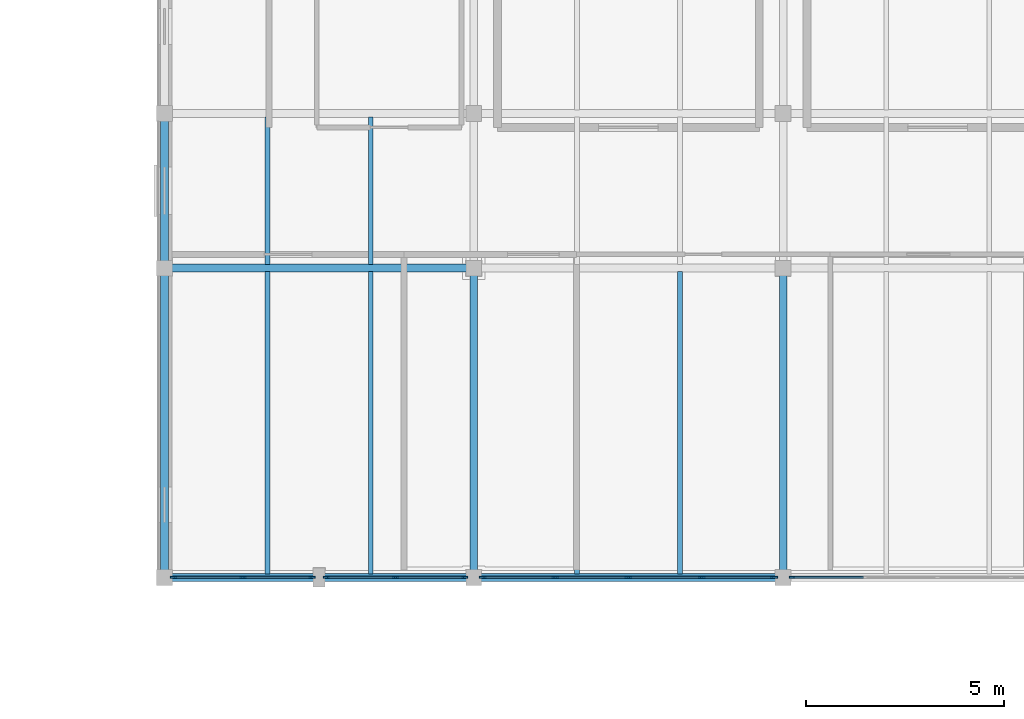
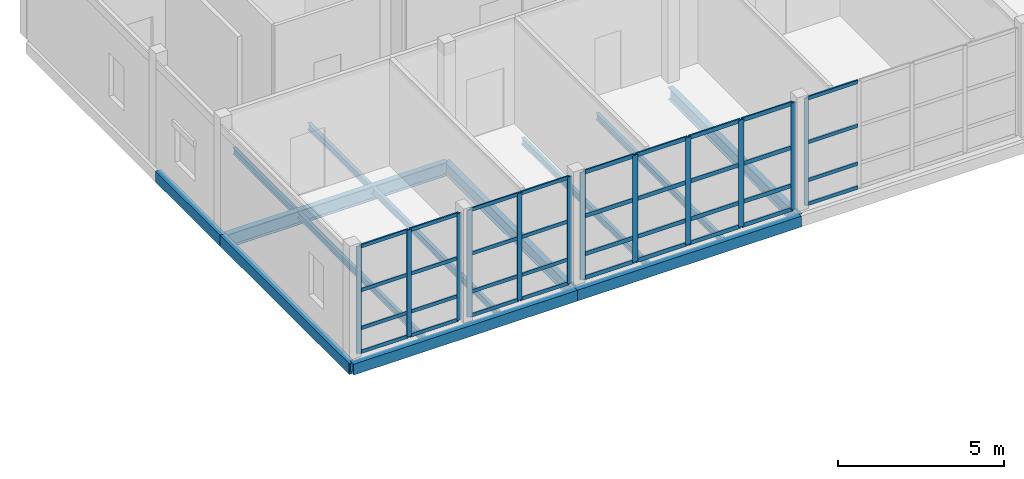
# One storey, part 5 of 21: 48 members, 13 beams, 4 elements without a shape of their own.
"""IFC4 building model written with IfcOpenShell, lengths in metres."""

from ifc_helpers import new_model, si_unit, direction, frame, origin, origin_2d, place, context, subcontext, project, spatial, rectangle, hollow_rectangle, i_section, extrude, material, layer, layer_set, material_profile, profile_set, type_object, element, aggregate, save


model = new_model("IFC4")

# Units and contexts
model_context = context("Model", 3, precision=1e-05, world=origin(), true_north=direction((0.0, 1.0)))
body_context = subcontext(model_context, "Body", "Model", "MODEL_VIEW")
ifc_project = project(units=[si_unit("LENGTHUNIT", "METRE"), si_unit("AREAUNIT", "SQUARE_METRE"), si_unit("VOLUMEUNIT", "CUBIC_METRE"), si_unit("PLANEANGLEUNIT", "RADIAN"), si_unit("MASSUNIT", "GRAM", prefix="KILO")], contexts=[model_context])

# Site, building, storey
site_placement = place(None, origin())
site = spatial("IfcSite", under=ifc_project, at=site_placement, CompositionType="ELEMENT")
building_placement = place(site_placement, origin())
building = spatial("IfcBuilding", under=site, at=building_placement, Name="Celorna Specialist Clinic", CompositionType="ELEMENT")
storey_placement = place(building_placement, frame((0.0, 0.0, 23.10009765625)))
storey = spatial("IfcBuildingStorey", under=building, at=storey_placement, Name="L05", CompositionType="ELEMENT", Elevation=23.10009765625)

# Beams
ifc_material_1 = material(Name="Steel S355", Category="steel")
ifc_material_profile_1 = material_profile(ifc_material_1, i_section(OverallWidth=0.199951171875, OverallDepth=0.5, WebThickness=0.01025390625, FlangeThickness=0.01611328125, at=origin_2d()), Name="IPE 500")
ifc_profile_set_1 = profile_set([ifc_material_profile_1], Name="Steel S355")
beam_type_1 = type_object("IfcBeamType", Name="BM-08", PredefinedType="BEAM", material=ifc_profile_set_1)
beam_1_placement = place(storey_placement, frame((46.800048828125, 104.300048828125, -0.530029296875), z_axis=(1.0, 0.0, 0.0), x_axis=(0.0, 1.0, 0.0)))
element("IfcBeam", 1, at=beam_1_placement, inside=storey, type_object=beam_type_1, Name="Primary girder BM-08 #1422", PredefinedType="BEAM", context=body_context, shape_type="SweptSolid", body=[
    extrude(i_section(OverallWidth=0.199951171875, OverallDepth=0.5, WebThickness=0.01025390625, FlangeThickness=0.01611328125, at=origin_2d()), origin(), (0.0, 0.0, 1.0), 7.800048828125),
])
ifc_material_profile_2 = material_profile(ifc_material_1, i_section(OverallWidth=0.18994140625, OverallDepth=0.449951171875, WebThickness=0.009521484375, FlangeThickness=0.0146484375, at=origin_2d()), Name="IPE 450")
ifc_profile_set_2 = profile_set([ifc_material_profile_2], Name="Steel S355")
beam_type_2 = type_object("IfcBeamType", Name="BM-09", PredefinedType="BEAM", material=ifc_profile_set_2)
for number, where, z_axis, x_axis, name in (
    (2, (54.60009765625, 96.5, -0.505126953125), (0.0, 1.0, 0.0), (-1.0, 0.0, 0.0), "Transverse girder BM-09 #1443"),
    (3, (62.39990234375, 96.5, -0.505126953125), (0.0, 1.0, 0.0), (-1.0, 0.0, 0.0), "Transverse girder BM-09 #1446"),
):
    element("IfcBeam", number, at=place(storey_placement, frame(where, z_axis=z_axis, x_axis=x_axis)), inside=storey, type_object=beam_type_2, Name=name, PredefinedType="BEAM", context=body_context, shape_type="SweptSolid", body=[
        extrude(i_section(OverallWidth=0.18994140625, OverallDepth=0.449951171875, WebThickness=0.009521484375, FlangeThickness=0.0146484375, at=origin_2d()), origin(), (0.0, 0.0, 1.0), 7.800048828125),
    ])
ifc_material_profile_3 = material_profile(ifc_material_1, hollow_rectangle(XDim=0.199951171875, YDim=0.39990234375, WallThickness=0.011962890625, at=origin_2d()), Name="RHS 200x400x12")
ifc_profile_set_3 = profile_set([ifc_material_profile_3], Name="Steel S355")
beam_type_3 = type_object("IfcBeamType", Name="BM-15", PredefinedType="SPANDREL", material=ifc_profile_set_3)
beam_2_placement = place(storey_placement, frame((46.800048828125, 96.5, -0.47998046875), z_axis=(1.0, 0.0, 0.0), x_axis=(0.0, 1.0, 0.0)))
element("IfcBeam", 4, at=beam_2_placement, inside=storey, type_object=beam_type_3, Name="Spandrel beam BM-15 #1416", PredefinedType="SPANDREL", context=body_context, shape_type="SweptSolid", body=[
    extrude(hollow_rectangle(XDim=0.199951171875, YDim=0.39990234375, WallThickness=0.011962890625, at=origin_2d()), origin(), (0.0, 0.0, 1.0), 7.800048828125),
])
beam_3_placement = place(storey_placement, frame((54.60009765625, 96.5, -0.47998046875), z_axis=(1.0, 0.0, 0.0), x_axis=(0.0, 1.0, 0.0)))
element("IfcBeam", 5, at=beam_3_placement, inside=storey, type_object=beam_type_3, Name="Spandrel beam BM-15 #1417", PredefinedType="SPANDREL", context=body_context, shape_type="SweptSolid", body=[
    extrude(hollow_rectangle(XDim=0.199951171875, YDim=0.39990234375, WallThickness=0.011962890625, at=origin_2d()), origin(), (0.0, 0.0, 1.0), 7.7998046875),
])
beam_4_placement = place(storey_placement, frame((46.800048828125, 96.5, -0.47998046875), z_axis=(0.0, 1.0, 0.0), x_axis=(-1.0, 0.0, 0.0)))
element("IfcBeam", 6, at=beam_4_placement, inside=storey, type_object=beam_type_3, Name="Spandrel beam BM-15 #1440", PredefinedType="SPANDREL", context=body_context, shape_type="SweptSolid", body=[
    extrude(hollow_rectangle(XDim=0.199951171875, YDim=0.39990234375, WallThickness=0.011962890625, at=origin_2d()), origin(), (0.0, 0.0, 1.0), 7.800048828125),
])
beam_5_placement = place(storey_placement, frame((46.800048828125, 104.300048828125, -0.47998046875), z_axis=(0.0, 1.0, 0.0), x_axis=(-1.0, 0.0, 0.0)))
element("IfcBeam", 7, at=beam_5_placement, inside=storey, type_object=beam_type_3, Name="Spandrel beam BM-15 #1441", PredefinedType="SPANDREL", context=body_context, shape_type="SweptSolid", body=[
    extrude(hollow_rectangle(XDim=0.199951171875, YDim=0.39990234375, WallThickness=0.011962890625, at=origin_2d()), origin(), (0.0, 0.0, 1.0), 3.89990234375),
])
ifc_material_profile_4 = material_profile(ifc_material_1, i_section(OverallWidth=0.1201171875, OverallDepth=0.239990234375, WebThickness=0.006103515625, FlangeThickness=0.009765625, at=origin_2d()), Name="IPE 240")
ifc_profile_set_4 = profile_set([ifc_material_profile_4], Name="Steel S355")
beam_type_4 = type_object("IfcBeamType", Name="BM-23", PredefinedType="JOIST", material=ifc_profile_set_4)
for number, where, z_axis, x_axis, name in (
    (8, (49.39990234375, 96.587890625, -0.400146484375), (0.0, 1.0, 0.0), (-1.0, 0.0, 0.0), "Secondary floor joist BM-23 #1461"),
    (9, (52.0, 96.587890625, -0.400146484375), (0.0, 1.0, 0.0), (-1.0, 0.0, 0.0), "Secondary floor joist BM-23 #1462"),
):
    element("IfcBeam", number, at=place(storey_placement, frame(where, z_axis=z_axis, x_axis=x_axis)), inside=storey, type_object=beam_type_4, Name=name, PredefinedType="JOIST", context=body_context, shape_type="SweptSolid", body=[
        extrude(i_section(OverallWidth=0.1201171875, OverallDepth=0.239990234375, WebThickness=0.006103515625, FlangeThickness=0.009765625, at=origin_2d()), origin(), (0.0, 0.0, 1.0), 7.6240234375),
    ])
for number, where, z_axis, x_axis, name in (
    (10, (49.39990234375, 104.387939453125, -0.400146484375), (0.0, 1.0, 0.0), (-1.0, 0.0, 0.0), "Secondary floor joist BM-23 #1463"),
    (11, (52.0, 104.387939453125, -0.400146484375), (0.0, 1.0, 0.0), (-1.0, 0.0, 0.0), "Secondary floor joist BM-23 #1464"),
):
    element("IfcBeam", number, at=place(storey_placement, frame(where, z_axis=z_axis, x_axis=x_axis)), inside=storey, type_object=beam_type_4, Name=name, PredefinedType="JOIST", context=body_context, shape_type="SweptSolid", body=[
        extrude(i_section(OverallWidth=0.1201171875, OverallDepth=0.239990234375, WebThickness=0.006103515625, FlangeThickness=0.009765625, at=origin_2d()), origin(), (0.0, 0.0, 1.0), 3.72412109375),
    ])
for number, where, z_axis, x_axis, name in (
    (12, (57.199951171875, 96.587890625, -0.400146484375), (0.0, 1.0, 0.0), (-1.0, 0.0, 0.0), "Secondary floor joist BM-23 #1465"),
    (13, (59.800048828125, 96.587890625, -0.400146484375), (0.0, 1.0, 0.0), (-1.0, 0.0, 0.0), "Secondary floor joist BM-23 #1466"),
):
    element("IfcBeam", number, at=place(storey_placement, frame(where, z_axis=z_axis, x_axis=x_axis)), inside=storey, type_object=beam_type_4, Name=name, PredefinedType="JOIST", context=body_context, shape_type="SweptSolid", body=[
        extrude(i_section(OverallWidth=0.1201171875, OverallDepth=0.239990234375, WebThickness=0.006103515625, FlangeThickness=0.009765625, at=origin_2d()), origin(), (0.0, 0.0, 1.0), 7.6240234375),
    ])

# Curtain wall, members
ifc_material_2 = material(Name="Thermally broken aluminium and solar-control glass curtain wall", Category="aluminium")
ifc_layer_1 = layer(ifc_material_2, 0.159912109375, Name="Thermally broken aluminium and solar-control glass curtain wall")
ifc_layer_set_1 = layer_set([ifc_layer_1], Name="Thermally broken aluminium and solar-control glass curtain wall")
curtain_wall_type_1 = type_object("IfcCurtainWallType", Name="CW-77", PredefinedType="NOTDEFINED", material=ifc_layer_set_1)
curtain_wall_1_placement = place(storey_placement, origin())
curtain_wall_1 = element("IfcCurtainWall", 14, at=curtain_wall_1_placement, inside=storey, type_object=curtain_wall_type_1, Name="Curtain wall CW-77 #145", PredefinedType="NOTDEFINED")
ifc_material_3 = material(Name="Anodized aluminium mullion", Category="aluminium")
ifc_material_profile_5 = material_profile(ifc_material_3, rectangle(XDim=0.050048828125, YDim=0.159912109375, at=origin_2d()), Name="ALU MULLION 50x160")
ifc_profile_set_5 = profile_set([ifc_material_profile_5], Name="Anodized aluminium mullion")
member_type_1 = type_object("IfcMemberType", Name="ML-01", PredefinedType="MULLION", material=ifc_profile_set_5)
member_1_placement = place(storey_placement, frame((54.37109375, 96.5, 0.0), z_axis=(0.0, 0.0, 1.0), x_axis=(0.0, -1.0, 0.0)))
member_1 = element("IfcMember", 15, at=member_1_placement, type_object=member_type_1, Name="CW-77 mullion 1", PredefinedType="MULLION", context=body_context, shape_type="SweptSolid", body=[
    extrude(rectangle(XDim=0.050048828125, YDim=0.159912109375, at=origin_2d()), origin(), (0.0, 0.0, 1.0), 3.93994140625),
])
member_2_placement = place(storey_placement, frame((52.625, 96.5, 0.0), z_axis=(0.0, 0.0, 1.0), x_axis=(0.0, -1.0, 0.0)))
member_2 = element("IfcMember", 16, at=member_2_placement, type_object=member_type_1, Name="CW-77 mullion 2", PredefinedType="MULLION", context=body_context, shape_type="SweptSolid", body=[
    extrude(rectangle(XDim=0.050048828125, YDim=0.159912109375, at=origin_2d()), origin(), (0.0, 0.0, 1.0), 3.93994140625),
])
member_3_placement = place(storey_placement, frame((50.87890625, 96.5, 0.0), z_axis=(0.0, 0.0, 1.0), x_axis=(0.0, -1.0, 0.0)))
member_3 = element("IfcMember", 17, at=member_3_placement, type_object=member_type_1, Name="CW-77 mullion 3", PredefinedType="MULLION", context=body_context, shape_type="SweptSolid", body=[
    extrude(rectangle(XDim=0.050048828125, YDim=0.159912109375, at=origin_2d()), origin(), (0.0, 0.0, 1.0), 3.93994140625),
])

curtain_wall_2_placement = place(storey_placement, origin())
curtain_wall_2 = element("IfcCurtainWall", 18, at=curtain_wall_2_placement, inside=storey, type_object=curtain_wall_type_1, Name="Curtain wall CW-77 #146", PredefinedType="NOTDEFINED")
member_4_placement = place(storey_placement, frame((50.52099609375, 96.5, 0.0), z_axis=(0.0, 0.0, 1.0), x_axis=(0.0, -1.0, 0.0)))
member_4 = element("IfcMember", 19, at=member_4_placement, type_object=member_type_1, Name="CW-77 mullion 1", PredefinedType="MULLION", context=body_context, shape_type="SweptSolid", body=[
    extrude(rectangle(XDim=0.050048828125, YDim=0.159912109375, at=origin_2d()), origin(), (0.0, 0.0, 1.0), 3.93994140625),
])
member_5_placement = place(storey_placement, frame((48.77490234375, 96.5, 0.0), z_axis=(0.0, 0.0, 1.0), x_axis=(0.0, -1.0, 0.0)))
member_5 = element("IfcMember", 20, at=member_5_placement, type_object=member_type_1, Name="CW-77 mullion 2", PredefinedType="MULLION", context=body_context, shape_type="SweptSolid", body=[
    extrude(rectangle(XDim=0.050048828125, YDim=0.159912109375, at=origin_2d()), origin(), (0.0, 0.0, 1.0), 3.93994140625),
])
member_6_placement = place(storey_placement, frame((47.029052734375, 96.5, 0.0), z_axis=(0.0, 0.0, 1.0), x_axis=(0.0, -1.0, 0.0)))
member_6 = element("IfcMember", 21, at=member_6_placement, type_object=member_type_1, Name="CW-77 mullion 3", PredefinedType="MULLION", context=body_context, shape_type="SweptSolid", body=[
    extrude(rectangle(XDim=0.050048828125, YDim=0.159912109375, at=origin_2d()), origin(), (0.0, 0.0, 1.0), 3.93994140625),
])

ifc_layer_2 = layer(ifc_material_2, 0.159912109375, Name="Thermally broken aluminium and solar-control glass curtain wall")
ifc_layer_set_2 = layer_set([ifc_layer_2], Name="Thermally broken aluminium and solar-control glass curtain wall")
curtain_wall_type_2 = type_object("IfcCurtainWallType", Name="CW-78", PredefinedType="NOTDEFINED", material=ifc_layer_set_2)
curtain_wall_3_placement = place(storey_placement, origin())
curtain_wall_3 = element("IfcCurtainWall", 22, at=curtain_wall_3_placement, inside=storey, type_object=curtain_wall_type_2, Name="Curtain wall CW-78 #147", PredefinedType="NOTDEFINED")
ifc_material_profile_6 = material_profile(ifc_material_3, rectangle(XDim=0.050048828125, YDim=0.179931640625, at=origin_2d()), Name="ALU MULLION 50x180")
ifc_profile_set_6 = profile_set([ifc_material_profile_6], Name="Anodized aluminium mullion")
member_type_2 = type_object("IfcMemberType", Name="ML-02", PredefinedType="MULLION", material=ifc_profile_set_6)
member_7_placement = place(storey_placement, frame((62.1708984375, 96.5, 0.0), z_axis=(0.0, 0.0, 1.0), x_axis=(0.0, -1.0, 0.0)))
member_7 = element("IfcMember", 23, at=member_7_placement, type_object=member_type_2, Name="CW-78 mullion 1", PredefinedType="MULLION", context=body_context, shape_type="SweptSolid", body=[
    extrude(rectangle(XDim=0.050048828125, YDim=0.179931640625, at=origin_2d()), origin(), (0.0, 0.0, 1.0), 3.93994140625),
])
member_8_placement = place(storey_placement, frame((60.347900390625, 96.5, 0.0), z_axis=(0.0, 0.0, 1.0), x_axis=(0.0, -1.0, 0.0)))
member_8 = element("IfcMember", 24, at=member_8_placement, type_object=member_type_2, Name="CW-78 mullion 2", PredefinedType="MULLION", context=body_context, shape_type="SweptSolid", body=[
    extrude(rectangle(XDim=0.050048828125, YDim=0.179931640625, at=origin_2d()), origin(), (0.0, 0.0, 1.0), 3.93994140625),
])
member_9_placement = place(storey_placement, frame((58.5, 96.5, 0.0), z_axis=(0.0, 0.0, 1.0), x_axis=(0.0, -1.0, 0.0)))
member_9 = element("IfcMember", 25, at=member_9_placement, type_object=member_type_2, Name="CW-78 mullion 3", PredefinedType="MULLION", context=body_context, shape_type="SweptSolid", body=[
    extrude(rectangle(XDim=0.050048828125, YDim=0.179931640625, at=origin_2d()), origin(), (0.0, 0.0, 1.0), 3.93994140625),
])
member_10_placement = place(storey_placement, frame((56.652099609375, 96.5, 0.0), z_axis=(0.0, 0.0, 1.0), x_axis=(0.0, -1.0, 0.0)))
member_10 = element("IfcMember", 26, at=member_10_placement, type_object=member_type_2, Name="CW-78 mullion 4", PredefinedType="MULLION", context=body_context, shape_type="SweptSolid", body=[
    extrude(rectangle(XDim=0.050048828125, YDim=0.179931640625, at=origin_2d()), origin(), (0.0, 0.0, 1.0), 3.93994140625),
])
member_11_placement = place(storey_placement, frame((54.8291015625, 96.5, 0.0), z_axis=(0.0, 0.0, 1.0), x_axis=(0.0, -1.0, 0.0)))
member_11 = element("IfcMember", 27, at=member_11_placement, type_object=member_type_2, Name="CW-78 mullion 5", PredefinedType="MULLION", context=body_context, shape_type="SweptSolid", body=[
    extrude(rectangle(XDim=0.050048828125, YDim=0.179931640625, at=origin_2d()), origin(), (0.0, 0.0, 1.0), 3.93994140625),
])

# Curtain wall, member
ifc_layer_3 = layer(ifc_material_2, 0.159912109375, Name="Thermally broken aluminium and solar-control glass curtain wall")
ifc_layer_set_3 = layer_set([ifc_layer_3], Name="Thermally broken aluminium and solar-control glass curtain wall")
curtain_wall_type_3 = type_object("IfcCurtainWallType", Name="CW-79", PredefinedType="NOTDEFINED", material=ifc_layer_set_3)
curtain_wall_4_placement = place(storey_placement, origin())
curtain_wall_4 = element("IfcCurtainWall", 28, at=curtain_wall_4_placement, inside=storey, type_object=curtain_wall_type_3, Name="Curtain wall CW-79 #148", PredefinedType="NOTDEFINED")
ifc_material_profile_7 = material_profile(ifc_material_3, rectangle(XDim=0.050048828125, YDim=0.139892578125, at=origin_2d()), Name="ALU MULLION 50x140")
ifc_profile_set_7 = profile_set([ifc_material_profile_7], Name="Anodized aluminium mullion")
member_type_3 = type_object("IfcMemberType", Name="ML-03", PredefinedType="MULLION", material=ifc_profile_set_7)
member_12_placement = place(storey_placement, frame((62.62890625, 96.5, 0.0), z_axis=(0.0, 0.0, 1.0), x_axis=(0.0, -1.0, 0.0)))
member_12 = element("IfcMember", 29, at=member_12_placement, type_object=member_type_3, Name="CW-79 mullion 5", PredefinedType="MULLION", context=body_context, shape_type="SweptSolid", body=[
    extrude(rectangle(XDim=0.050048828125, YDim=0.139892578125, at=origin_2d()), origin(), (0.0, 0.0, 1.0), 3.93994140625),
])

# Member
ifc_material_4 = material(Name="Anodized aluminium transom", Category="aluminium")
ifc_material_profile_8 = material_profile(ifc_material_4, rectangle(XDim=0.050048828125, YDim=0.1298828125, at=origin_2d()), Name="ALU TRANSOM 50x130")
ifc_profile_set_8 = profile_set([ifc_material_profile_8], Name="Anodized aluminium transom")
member_type_4 = type_object("IfcMemberType", Name="TR-01", PredefinedType="USERDEFINED", material=ifc_profile_set_8)
member_13_placement = place(storey_placement, frame((54.345947265625, 96.5, 0.02490234375), z_axis=(-1.0, 0.0, 0.0), x_axis=(0.0, -1.0, 0.0)))
member_13 = element("IfcMember", 30, at=member_13_placement, type_object=member_type_4, Name="CW-77 transom 1.1", ObjectType="TRANSOM", PredefinedType="USERDEFINED", context=body_context, shape_type="SweptSolid", body=[
    extrude(rectangle(XDim=0.050048828125, YDim=0.1298828125, at=origin_2d()), origin(), (0.0, 0.0, 1.0), 1.696044921875),
])

member_14_placement = place(storey_placement, frame((54.345947265625, 96.5, 0.89990234375), z_axis=(-1.0, 0.0, 0.0), x_axis=(0.0, -1.0, 0.0)))
member_14 = element("IfcMember", 31, at=member_14_placement, type_object=member_type_4, Name="CW-77 transom 1.2", ObjectType="TRANSOM", PredefinedType="USERDEFINED", context=body_context, shape_type="SweptSolid", body=[
    extrude(rectangle(XDim=0.050048828125, YDim=0.1298828125, at=origin_2d()), origin(), (0.0, 0.0, 1.0), 1.696044921875),
])

member_15_placement = place(storey_placement, frame((54.345947265625, 96.5, 2.2998046875), z_axis=(-1.0, 0.0, 0.0), x_axis=(0.0, -1.0, 0.0)))
member_15 = element("IfcMember", 32, at=member_15_placement, type_object=member_type_4, Name="CW-77 transom 1.3", ObjectType="TRANSOM", PredefinedType="USERDEFINED", context=body_context, shape_type="SweptSolid", body=[
    extrude(rectangle(XDim=0.050048828125, YDim=0.1298828125, at=origin_2d()), origin(), (0.0, 0.0, 1.0), 1.696044921875),
])

member_16_placement = place(storey_placement, frame((54.345947265625, 96.5, 3.914794921875), z_axis=(-1.0, 0.0, 0.0), x_axis=(0.0, -1.0, 0.0)))
member_16 = element("IfcMember", 33, at=member_16_placement, type_object=member_type_4, Name="CW-77 transom 1.4", ObjectType="TRANSOM", PredefinedType="USERDEFINED", context=body_context, shape_type="SweptSolid", body=[
    extrude(rectangle(XDim=0.050048828125, YDim=0.1298828125, at=origin_2d()), origin(), (0.0, 0.0, 1.0), 1.696044921875),
])

member_17_placement = place(storey_placement, frame((52.60009765625, 96.5, 0.02490234375), z_axis=(-1.0, 0.0, 0.0), x_axis=(0.0, -1.0, 0.0)))
member_17 = element("IfcMember", 34, at=member_17_placement, type_object=member_type_4, Name="CW-77 transom 2.1", ObjectType="TRANSOM", PredefinedType="USERDEFINED", context=body_context, shape_type="SweptSolid", body=[
    extrude(rectangle(XDim=0.050048828125, YDim=0.1298828125, at=origin_2d()), origin(), (0.0, 0.0, 1.0), 1.696044921875),
])

member_18_placement = place(storey_placement, frame((52.60009765625, 96.5, 0.89990234375), z_axis=(-1.0, 0.0, 0.0), x_axis=(0.0, -1.0, 0.0)))
member_18 = element("IfcMember", 35, at=member_18_placement, type_object=member_type_4, Name="CW-77 transom 2.2", ObjectType="TRANSOM", PredefinedType="USERDEFINED", context=body_context, shape_type="SweptSolid", body=[
    extrude(rectangle(XDim=0.050048828125, YDim=0.1298828125, at=origin_2d()), origin(), (0.0, 0.0, 1.0), 1.696044921875),
])

member_19_placement = place(storey_placement, frame((52.60009765625, 96.5, 2.2998046875), z_axis=(-1.0, 0.0, 0.0), x_axis=(0.0, -1.0, 0.0)))
member_19 = element("IfcMember", 36, at=member_19_placement, type_object=member_type_4, Name="CW-77 transom 2.3", ObjectType="TRANSOM", PredefinedType="USERDEFINED", context=body_context, shape_type="SweptSolid", body=[
    extrude(rectangle(XDim=0.050048828125, YDim=0.1298828125, at=origin_2d()), origin(), (0.0, 0.0, 1.0), 1.696044921875),
])

member_20_placement = place(storey_placement, frame((52.60009765625, 96.5, 3.914794921875), z_axis=(-1.0, 0.0, 0.0), x_axis=(0.0, -1.0, 0.0)))
member_20 = element("IfcMember", 37, at=member_20_placement, type_object=member_type_4, Name="CW-77 transom 2.4", ObjectType="TRANSOM", PredefinedType="USERDEFINED", context=body_context, shape_type="SweptSolid", body=[
    extrude(rectangle(XDim=0.050048828125, YDim=0.1298828125, at=origin_2d()), origin(), (0.0, 0.0, 1.0), 1.696044921875),
])

aggregate(curtain_wall_1, [member_1, member_2, member_3, member_13, member_14, member_15, member_16, member_17, member_18, member_19, member_20])

member_21_placement = place(storey_placement, frame((50.49609375, 96.5, 0.02490234375), z_axis=(-1.0, 0.0, 0.0), x_axis=(0.0, -1.0, 0.0)))
member_21 = element("IfcMember", 38, at=member_21_placement, type_object=member_type_4, Name="CW-77 transom 1.1", ObjectType="TRANSOM", PredefinedType="USERDEFINED", context=body_context, shape_type="SweptSolid", body=[
    extrude(rectangle(XDim=0.050048828125, YDim=0.1298828125, at=origin_2d()), origin(), (0.0, 0.0, 1.0), 1.696044921875),
])

member_22_placement = place(storey_placement, frame((50.49609375, 96.5, 0.89990234375), z_axis=(-1.0, 0.0, 0.0), x_axis=(0.0, -1.0, 0.0)))
member_22 = element("IfcMember", 39, at=member_22_placement, type_object=member_type_4, Name="CW-77 transom 1.2", ObjectType="TRANSOM", PredefinedType="USERDEFINED", context=body_context, shape_type="SweptSolid", body=[
    extrude(rectangle(XDim=0.050048828125, YDim=0.1298828125, at=origin_2d()), origin(), (0.0, 0.0, 1.0), 1.696044921875),
])

member_23_placement = place(storey_placement, frame((50.49609375, 96.5, 2.2998046875), z_axis=(-1.0, 0.0, 0.0), x_axis=(0.0, -1.0, 0.0)))
member_23 = element("IfcMember", 40, at=member_23_placement, type_object=member_type_4, Name="CW-77 transom 1.3", ObjectType="TRANSOM", PredefinedType="USERDEFINED", context=body_context, shape_type="SweptSolid", body=[
    extrude(rectangle(XDim=0.050048828125, YDim=0.1298828125, at=origin_2d()), origin(), (0.0, 0.0, 1.0), 1.696044921875),
])

member_24_placement = place(storey_placement, frame((50.49609375, 96.5, 3.914794921875), z_axis=(-1.0, 0.0, 0.0), x_axis=(0.0, -1.0, 0.0)))
member_24 = element("IfcMember", 41, at=member_24_placement, type_object=member_type_4, Name="CW-77 transom 1.4", ObjectType="TRANSOM", PredefinedType="USERDEFINED", context=body_context, shape_type="SweptSolid", body=[
    extrude(rectangle(XDim=0.050048828125, YDim=0.1298828125, at=origin_2d()), origin(), (0.0, 0.0, 1.0), 1.696044921875),
])

member_25_placement = place(storey_placement, frame((48.75, 96.5, 0.02490234375), z_axis=(-1.0, 0.0, 0.0), x_axis=(0.0, -1.0, 0.0)))
member_25 = element("IfcMember", 42, at=member_25_placement, type_object=member_type_4, Name="CW-77 transom 2.1", ObjectType="TRANSOM", PredefinedType="USERDEFINED", context=body_context, shape_type="SweptSolid", body=[
    extrude(rectangle(XDim=0.050048828125, YDim=0.1298828125, at=origin_2d()), origin(), (0.0, 0.0, 1.0), 1.696044921875),
])

member_26_placement = place(storey_placement, frame((48.75, 96.5, 0.89990234375), z_axis=(-1.0, 0.0, 0.0), x_axis=(0.0, -1.0, 0.0)))
member_26 = element("IfcMember", 43, at=member_26_placement, type_object=member_type_4, Name="CW-77 transom 2.2", ObjectType="TRANSOM", PredefinedType="USERDEFINED", context=body_context, shape_type="SweptSolid", body=[
    extrude(rectangle(XDim=0.050048828125, YDim=0.1298828125, at=origin_2d()), origin(), (0.0, 0.0, 1.0), 1.696044921875),
])

member_27_placement = place(storey_placement, frame((48.75, 96.5, 2.2998046875), z_axis=(-1.0, 0.0, 0.0), x_axis=(0.0, -1.0, 0.0)))
member_27 = element("IfcMember", 44, at=member_27_placement, type_object=member_type_4, Name="CW-77 transom 2.3", ObjectType="TRANSOM", PredefinedType="USERDEFINED", context=body_context, shape_type="SweptSolid", body=[
    extrude(rectangle(XDim=0.050048828125, YDim=0.1298828125, at=origin_2d()), origin(), (0.0, 0.0, 1.0), 1.696044921875),
])

member_28_placement = place(storey_placement, frame((48.75, 96.5, 3.914794921875), z_axis=(-1.0, 0.0, 0.0), x_axis=(0.0, -1.0, 0.0)))
member_28 = element("IfcMember", 45, at=member_28_placement, type_object=member_type_4, Name="CW-77 transom 2.4", ObjectType="TRANSOM", PredefinedType="USERDEFINED", context=body_context, shape_type="SweptSolid", body=[
    extrude(rectangle(XDim=0.050048828125, YDim=0.1298828125, at=origin_2d()), origin(), (0.0, 0.0, 1.0), 1.696044921875),
])

aggregate(curtain_wall_2, [member_4, member_5, member_6, member_21, member_22, member_23, member_24, member_25, member_26, member_27, member_28])

member_29_placement = place(storey_placement, frame((64.427001953125, 96.5, 0.02490234375), z_axis=(-1.0, 0.0, 0.0), x_axis=(0.0, -1.0, 0.0)))
member_29 = element("IfcMember", 46, at=member_29_placement, type_object=member_type_4, Name="CW-79 transom 4.1", ObjectType="TRANSOM", PredefinedType="USERDEFINED", context=body_context, shape_type="SweptSolid", body=[
    extrude(rectangle(XDim=0.050048828125, YDim=0.1298828125, at=origin_2d()), origin(), (0.0, 0.0, 1.0), 1.77294921875),
])

member_30_placement = place(storey_placement, frame((64.427001953125, 96.5, 0.89990234375), z_axis=(-1.0, 0.0, 0.0), x_axis=(0.0, -1.0, 0.0)))
member_30 = element("IfcMember", 47, at=member_30_placement, type_object=member_type_4, Name="CW-79 transom 4.2", ObjectType="TRANSOM", PredefinedType="USERDEFINED", context=body_context, shape_type="SweptSolid", body=[
    extrude(rectangle(XDim=0.050048828125, YDim=0.1298828125, at=origin_2d()), origin(), (0.0, 0.0, 1.0), 1.77294921875),
])

member_31_placement = place(storey_placement, frame((64.427001953125, 96.5, 2.2998046875), z_axis=(-1.0, 0.0, 0.0), x_axis=(0.0, -1.0, 0.0)))
member_31 = element("IfcMember", 48, at=member_31_placement, type_object=member_type_4, Name="CW-79 transom 4.3", ObjectType="TRANSOM", PredefinedType="USERDEFINED", context=body_context, shape_type="SweptSolid", body=[
    extrude(rectangle(XDim=0.050048828125, YDim=0.1298828125, at=origin_2d()), origin(), (0.0, 0.0, 1.0), 1.77294921875),
])

member_32_placement = place(storey_placement, frame((64.427001953125, 96.5, 3.914794921875), z_axis=(-1.0, 0.0, 0.0), x_axis=(0.0, -1.0, 0.0)))
member_32 = element("IfcMember", 49, at=member_32_placement, type_object=member_type_4, Name="CW-79 transom 4.4", ObjectType="TRANSOM", PredefinedType="USERDEFINED", context=body_context, shape_type="SweptSolid", body=[
    extrude(rectangle(XDim=0.050048828125, YDim=0.1298828125, at=origin_2d()), origin(), (0.0, 0.0, 1.0), 1.77294921875),
])

aggregate(curtain_wall_4, [member_12, member_29, member_30, member_31, member_32])

ifc_material_profile_9 = material_profile(ifc_material_4, rectangle(XDim=0.050048828125, YDim=0.14990234375, at=origin_2d()), Name="ALU TRANSOM 50x150")
ifc_profile_set_9 = profile_set([ifc_material_profile_9], Name="Anodized aluminium transom")
member_type_5 = type_object("IfcMemberType", Name="TR-02", PredefinedType="USERDEFINED", material=ifc_profile_set_9)
member_33_placement = place(storey_placement, frame((62.14599609375, 96.5, 0.02490234375), z_axis=(-1.0, 0.0, 0.0), x_axis=(0.0, -1.0, 0.0)))
member_33 = element("IfcMember", 50, at=member_33_placement, type_object=member_type_5, Name="CW-78 transom 1.1", ObjectType="TRANSOM", PredefinedType="USERDEFINED", context=body_context, shape_type="SweptSolid", body=[
    extrude(rectangle(XDim=0.050048828125, YDim=0.14990234375, at=origin_2d()), origin(), (0.0, 0.0, 1.0), 1.77294921875),
])

member_34_placement = place(storey_placement, frame((62.14599609375, 96.5, 0.89990234375), z_axis=(-1.0, 0.0, 0.0), x_axis=(0.0, -1.0, 0.0)))
member_34 = element("IfcMember", 51, at=member_34_placement, type_object=member_type_5, Name="CW-78 transom 1.2", ObjectType="TRANSOM", PredefinedType="USERDEFINED", context=body_context, shape_type="SweptSolid", body=[
    extrude(rectangle(XDim=0.050048828125, YDim=0.14990234375, at=origin_2d()), origin(), (0.0, 0.0, 1.0), 1.77294921875),
])

member_35_placement = place(storey_placement, frame((62.14599609375, 96.5, 2.2998046875), z_axis=(-1.0, 0.0, 0.0), x_axis=(0.0, -1.0, 0.0)))
member_35 = element("IfcMember", 52, at=member_35_placement, type_object=member_type_5, Name="CW-78 transom 1.3", ObjectType="TRANSOM", PredefinedType="USERDEFINED", context=body_context, shape_type="SweptSolid", body=[
    extrude(rectangle(XDim=0.050048828125, YDim=0.14990234375, at=origin_2d()), origin(), (0.0, 0.0, 1.0), 1.77294921875),
])

member_36_placement = place(storey_placement, frame((62.14599609375, 96.5, 3.914794921875), z_axis=(-1.0, 0.0, 0.0), x_axis=(0.0, -1.0, 0.0)))
member_36 = element("IfcMember", 53, at=member_36_placement, type_object=member_type_5, Name="CW-78 transom 1.4", ObjectType="TRANSOM", PredefinedType="USERDEFINED", context=body_context, shape_type="SweptSolid", body=[
    extrude(rectangle(XDim=0.050048828125, YDim=0.14990234375, at=origin_2d()), origin(), (0.0, 0.0, 1.0), 1.77294921875),
])

member_37_placement = place(storey_placement, frame((60.322998046875, 96.5, 0.02490234375), z_axis=(-1.0, 0.0, 0.0), x_axis=(0.0, -1.0, 0.0)))
member_37 = element("IfcMember", 54, at=member_37_placement, type_object=member_type_5, Name="CW-78 transom 2.1", ObjectType="TRANSOM", PredefinedType="USERDEFINED", context=body_context, shape_type="SweptSolid", body=[
    extrude(rectangle(XDim=0.050048828125, YDim=0.14990234375, at=origin_2d()), origin(), (0.0, 0.0, 1.0), 1.798095703125),
])

member_38_placement = place(storey_placement, frame((60.322998046875, 96.5, 0.89990234375), z_axis=(-1.0, 0.0, 0.0), x_axis=(0.0, -1.0, 0.0)))
member_38 = element("IfcMember", 55, at=member_38_placement, type_object=member_type_5, Name="CW-78 transom 2.2", ObjectType="TRANSOM", PredefinedType="USERDEFINED", context=body_context, shape_type="SweptSolid", body=[
    extrude(rectangle(XDim=0.050048828125, YDim=0.14990234375, at=origin_2d()), origin(), (0.0, 0.0, 1.0), 1.798095703125),
])

member_39_placement = place(storey_placement, frame((60.322998046875, 96.5, 2.2998046875), z_axis=(-1.0, 0.0, 0.0), x_axis=(0.0, -1.0, 0.0)))
member_39 = element("IfcMember", 56, at=member_39_placement, type_object=member_type_5, Name="CW-78 transom 2.3", ObjectType="TRANSOM", PredefinedType="USERDEFINED", context=body_context, shape_type="SweptSolid", body=[
    extrude(rectangle(XDim=0.050048828125, YDim=0.14990234375, at=origin_2d()), origin(), (0.0, 0.0, 1.0), 1.798095703125),
])

member_40_placement = place(storey_placement, frame((60.322998046875, 96.5, 3.914794921875), z_axis=(-1.0, 0.0, 0.0), x_axis=(0.0, -1.0, 0.0)))
member_40 = element("IfcMember", 57, at=member_40_placement, type_object=member_type_5, Name="CW-78 transom 2.4", ObjectType="TRANSOM", PredefinedType="USERDEFINED", context=body_context, shape_type="SweptSolid", body=[
    extrude(rectangle(XDim=0.050048828125, YDim=0.14990234375, at=origin_2d()), origin(), (0.0, 0.0, 1.0), 1.798095703125),
])

member_41_placement = place(storey_placement, frame((58.47509765625, 96.5, 0.02490234375), z_axis=(-1.0, 0.0, 0.0), x_axis=(0.0, -1.0, 0.0)))
member_41 = element("IfcMember", 58, at=member_41_placement, type_object=member_type_5, Name="CW-78 transom 3.1", ObjectType="TRANSOM", PredefinedType="USERDEFINED", context=body_context, shape_type="SweptSolid", body=[
    extrude(rectangle(XDim=0.050048828125, YDim=0.14990234375, at=origin_2d()), origin(), (0.0, 0.0, 1.0), 1.798095703125),
])

member_42_placement = place(storey_placement, frame((58.47509765625, 96.5, 0.89990234375), z_axis=(-1.0, 0.0, 0.0), x_axis=(0.0, -1.0, 0.0)))
member_42 = element("IfcMember", 59, at=member_42_placement, type_object=member_type_5, Name="CW-78 transom 3.2", ObjectType="TRANSOM", PredefinedType="USERDEFINED", context=body_context, shape_type="SweptSolid", body=[
    extrude(rectangle(XDim=0.050048828125, YDim=0.14990234375, at=origin_2d()), origin(), (0.0, 0.0, 1.0), 1.798095703125),
])

member_43_placement = place(storey_placement, frame((58.47509765625, 96.5, 2.2998046875), z_axis=(-1.0, 0.0, 0.0), x_axis=(0.0, -1.0, 0.0)))
member_43 = element("IfcMember", 60, at=member_43_placement, type_object=member_type_5, Name="CW-78 transom 3.3", ObjectType="TRANSOM", PredefinedType="USERDEFINED", context=body_context, shape_type="SweptSolid", body=[
    extrude(rectangle(XDim=0.050048828125, YDim=0.14990234375, at=origin_2d()), origin(), (0.0, 0.0, 1.0), 1.798095703125),
])

member_44_placement = place(storey_placement, frame((58.47509765625, 96.5, 3.914794921875), z_axis=(-1.0, 0.0, 0.0), x_axis=(0.0, -1.0, 0.0)))
member_44 = element("IfcMember", 61, at=member_44_placement, type_object=member_type_5, Name="CW-78 transom 3.4", ObjectType="TRANSOM", PredefinedType="USERDEFINED", context=body_context, shape_type="SweptSolid", body=[
    extrude(rectangle(XDim=0.050048828125, YDim=0.14990234375, at=origin_2d()), origin(), (0.0, 0.0, 1.0), 1.798095703125),
])

member_45_placement = place(storey_placement, frame((56.626953125, 96.5, 0.02490234375), z_axis=(-1.0, 0.0, 0.0), x_axis=(0.0, -1.0, 0.0)))
member_45 = element("IfcMember", 62, at=member_45_placement, type_object=member_type_5, Name="CW-78 transom 4.1", ObjectType="TRANSOM", PredefinedType="USERDEFINED", context=body_context, shape_type="SweptSolid", body=[
    extrude(rectangle(XDim=0.050048828125, YDim=0.14990234375, at=origin_2d()), origin(), (0.0, 0.0, 1.0), 1.77294921875),
])

member_46_placement = place(storey_placement, frame((56.626953125, 96.5, 0.89990234375), z_axis=(-1.0, 0.0, 0.0), x_axis=(0.0, -1.0, 0.0)))
member_46 = element("IfcMember", 63, at=member_46_placement, type_object=member_type_5, Name="CW-78 transom 4.2", ObjectType="TRANSOM", PredefinedType="USERDEFINED", context=body_context, shape_type="SweptSolid", body=[
    extrude(rectangle(XDim=0.050048828125, YDim=0.14990234375, at=origin_2d()), origin(), (0.0, 0.0, 1.0), 1.77294921875),
])

member_47_placement = place(storey_placement, frame((56.626953125, 96.5, 2.2998046875), z_axis=(-1.0, 0.0, 0.0), x_axis=(0.0, -1.0, 0.0)))
member_47 = element("IfcMember", 64, at=member_47_placement, type_object=member_type_5, Name="CW-78 transom 4.3", ObjectType="TRANSOM", PredefinedType="USERDEFINED", context=body_context, shape_type="SweptSolid", body=[
    extrude(rectangle(XDim=0.050048828125, YDim=0.14990234375, at=origin_2d()), origin(), (0.0, 0.0, 1.0), 1.77294921875),
])

member_48_placement = place(storey_placement, frame((56.626953125, 96.5, 3.914794921875), z_axis=(-1.0, 0.0, 0.0), x_axis=(0.0, -1.0, 0.0)))
member_48 = element("IfcMember", 65, at=member_48_placement, type_object=member_type_5, Name="CW-78 transom 4.4", ObjectType="TRANSOM", PredefinedType="USERDEFINED", context=body_context, shape_type="SweptSolid", body=[
    extrude(rectangle(XDim=0.050048828125, YDim=0.14990234375, at=origin_2d()), origin(), (0.0, 0.0, 1.0), 1.77294921875),
])

aggregate(curtain_wall_3, [member_7, member_8, member_9, member_10, member_11, member_33, member_34, member_35, member_36, member_37, member_38, member_39, member_40, member_41, member_42, member_43, member_44, member_45, member_46, member_47, member_48])

save(model, "model.ifc")
